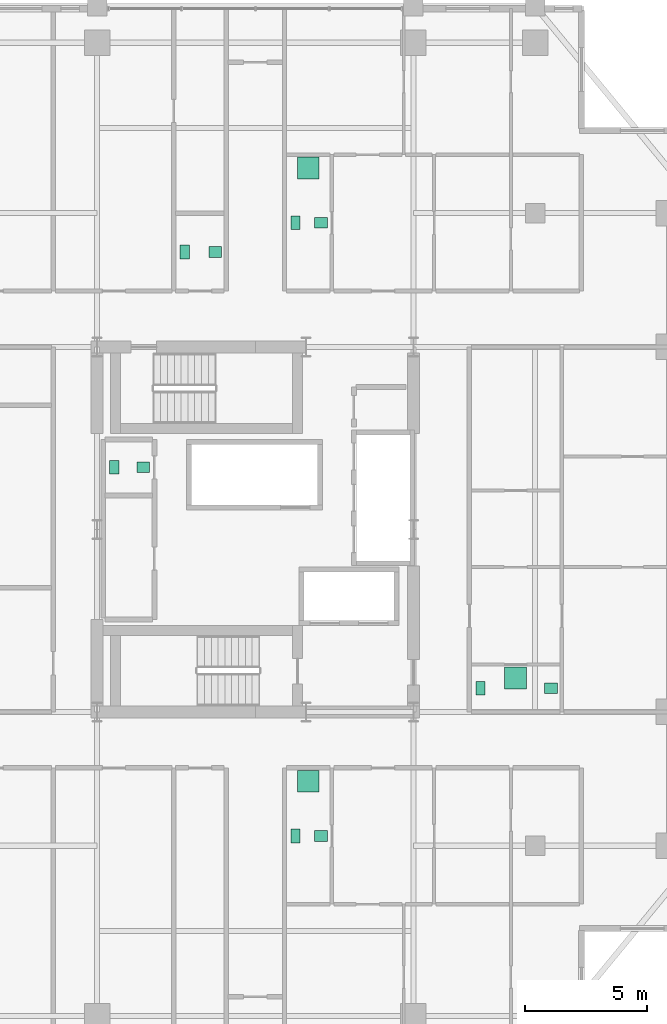
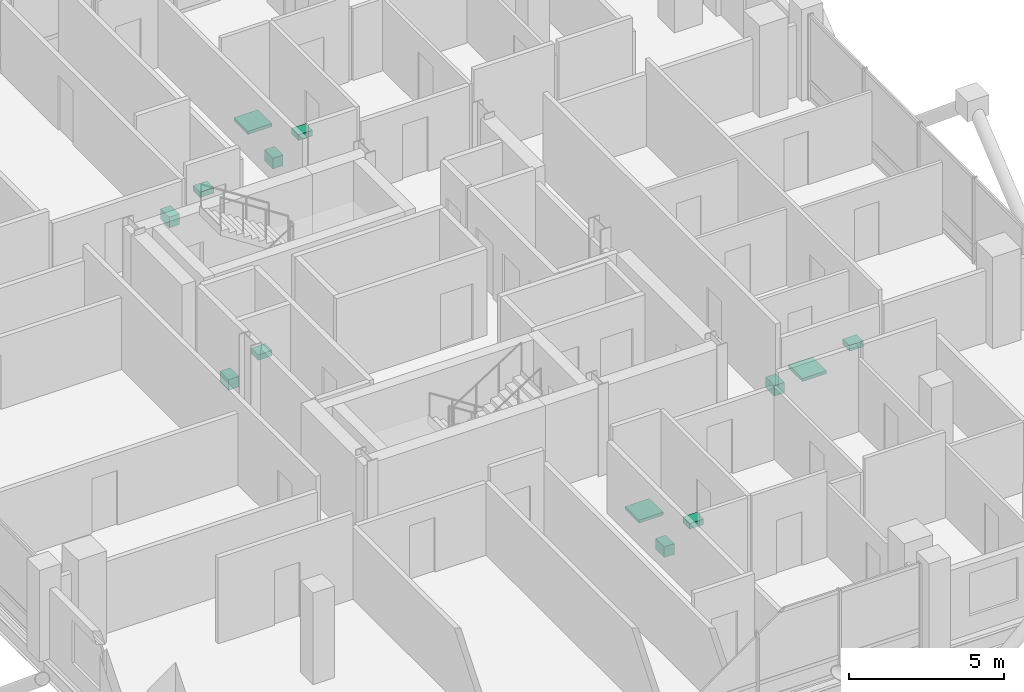
# One storey, part 24 of 24: 13 sanitary terminals.
"""IFC4 building model written with IfcOpenShell, lengths in metres."""

from ifc_helpers import new_model, si_unit, direction, frame, origin, origin_2d, place, context, subcontext, project, spatial, rectangle, extrude, material, type_object, element, save


model = new_model("IFC4")

# Units and contexts
model_context = context("Model", 3, precision=1e-05, world=origin(), true_north=direction((0.0, 1.0)))
body_context = subcontext(model_context, "Body", "Model", "MODEL_VIEW")
ifc_project = project(units=[si_unit("LENGTHUNIT", "METRE"), si_unit("AREAUNIT", "SQUARE_METRE"), si_unit("VOLUMEUNIT", "CUBIC_METRE"), si_unit("PLANEANGLEUNIT", "RADIAN"), si_unit("MASSUNIT", "GRAM", prefix="KILO")], contexts=[model_context])

# Site, building, storey
site_placement = place(None, origin())
site = spatial("IfcSite", under=ifc_project, at=site_placement, CompositionType="ELEMENT")
building_placement = place(site_placement, origin())
building = spatial("IfcBuilding", under=site, at=building_placement, Name="Barlavira Tower and Art Museum", CompositionType="ELEMENT")
storey_placement = place(building_placement, frame((0.0, 0.0, 172.800048828125)))
storey = spatial("IfcBuildingStorey", under=building, at=storey_placement, Name="L44", CompositionType="ELEMENT", Elevation=172.800048828125)

# Sanitary terminals
ifc_material = material(Name="Vitreous glazed ceramic", Category="ceramic")
sanitary_terminal_type_1 = type_object("IfcSanitaryTerminalType", Name="Countertop Ceramic Wash Hand Basin", PredefinedType="WASHHANDBASIN", material=ifc_material)
for number, where, z_axis, x_axis, name in (
    (1, (-4.60009765625, 2.550048828125, 0.73974609375), (0.0, 0.0, 1.0), (1.0, 0.0, 0.0), "L44-C-REC1W Wash Basin"),
    (2, (2.699951171875, -12.60009765625, 0.73974609375), (0.0, 0.0, 1.0), (1.0, 0.0, 0.0), "L44-SE1-BTH1 Wash Basin"),
    (3, (-1.64990234375, 11.39990234375, 0.73974609375), (0.0, 0.0, 1.0), (1.0, 0.0, 0.0), "L44-NW-SWC Wash Basin"),
    (4, (2.699951171875, 12.60009765625, 0.73974609375), (0.0, 0.0, 1.0), (1.0, 0.0, 0.0), "L44-NE1-BTH1 Wash Basin"),
    (5, (12.14990234375, -6.52490234375, 0.73974609375), (0.0, 0.0, 1.0), (1.0, 0.0, 0.0), "L44-E1-BTH1 Wash Basin"),
):
    element("IfcSanitaryTerminal", number, at=place(storey_placement, frame(where, z_axis=z_axis, x_axis=x_axis)), inside=storey, type_object=sanitary_terminal_type_1, Name=name, PredefinedType="WASHHANDBASIN", context=body_context, shape_type="SweptSolid", body=[
        extrude(rectangle(XDim=0.52001953125, YDim=0.43994140625, at=origin_2d()), origin(), (0.0, 0.0, 1.0), 0.219970703125),
    ])
sanitary_terminal_type_2 = type_object("IfcSanitaryTerminalType", Name="Walk-In Thermostatic Rain Shower Unit", PredefinedType="SHOWER", material=ifc_material)
for number, where, z_axis, x_axis, name in (
    (6, (2.175048828125, -10.35009765625, 0.0), (0.0, 0.0, 1.0), (1.0, 0.0, 0.0), "L44-SE1-BTH1 Rain Shower"),
    (7, (2.175048828125, 14.85009765625, 0.0), (0.0, 0.0, 1.0), (1.0, 0.0, 0.0), "L44-NE1-BTH1 Rain Shower"),
    (8, (10.699951171875, -6.10009765625, 0.0), (0.0, 0.0, 1.0), (1.0, 0.0, 0.0), "L44-E1-BTH1 Rain Shower"),
):
    element("IfcSanitaryTerminal", number, at=place(storey_placement, frame(where, z_axis=z_axis, x_axis=x_axis)), inside=storey, type_object=sanitary_terminal_type_2, Name=name, PredefinedType="SHOWER", context=body_context, shape_type="SweptSolid", body=[
        extrude(rectangle(XDim=0.89990234375, YDim=0.89990234375, at=origin_2d()), origin(), (0.0, 0.0, 1.0), 0.1201171875),
    ])
sanitary_terminal_type_3 = type_object("IfcSanitaryTerminalType", Name="Wall-Hung Dual-Flush Vitreous WC Pan", PredefinedType="TOILETPAN", material=ifc_material)
for number, where, z_axis, x_axis, name in (
    (9, (-5.800048828125, 2.550048828125, 0.0), (0.0, 0.0, 1.0), (1.0, 0.0, 0.0), "L44-C-REC1W WC Pan"),
    (10, (1.64990234375, -12.60009765625, 0.0), (0.0, 0.0, 1.0), (1.0, 0.0, 0.0), "L44-SE1-BTH1 WC Pan"),
    (11, (-2.89990234375, 11.39990234375, 0.0), (0.0, 0.0, 1.0), (1.0, 0.0, 0.0), "L44-NW-SWC WC Pan"),
    (12, (1.64990234375, 12.60009765625, 0.0), (0.0, 0.0, 1.0), (1.0, 0.0, 0.0), "L44-NE1-BTH1 WC Pan"),
    (13, (9.25, -6.52490234375, 0.0), (0.0, 0.0, 1.0), (1.0, 0.0, 0.0), "L44-E1-BTH1 WC Pan"),
):
    element("IfcSanitaryTerminal", number, at=place(storey_placement, frame(where, z_axis=z_axis, x_axis=x_axis)), inside=storey, type_object=sanitary_terminal_type_3, Name=name, PredefinedType="TOILETPAN", context=body_context, shape_type="SweptSolid", body=[
        extrude(rectangle(XDim=0.3798828125, YDim=0.56005859375, at=origin_2d()), origin(), (0.0, 0.0, 1.0), 0.419921875),
    ])

save(model, "model.ifc")
